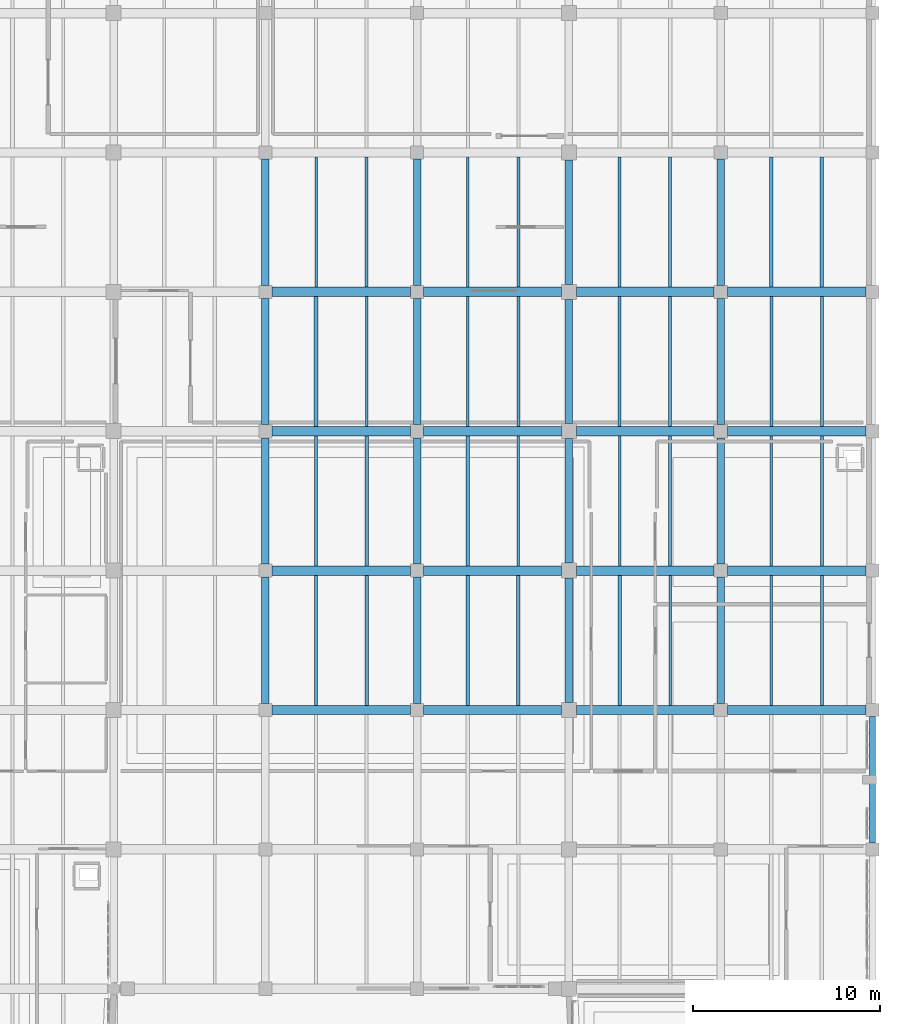
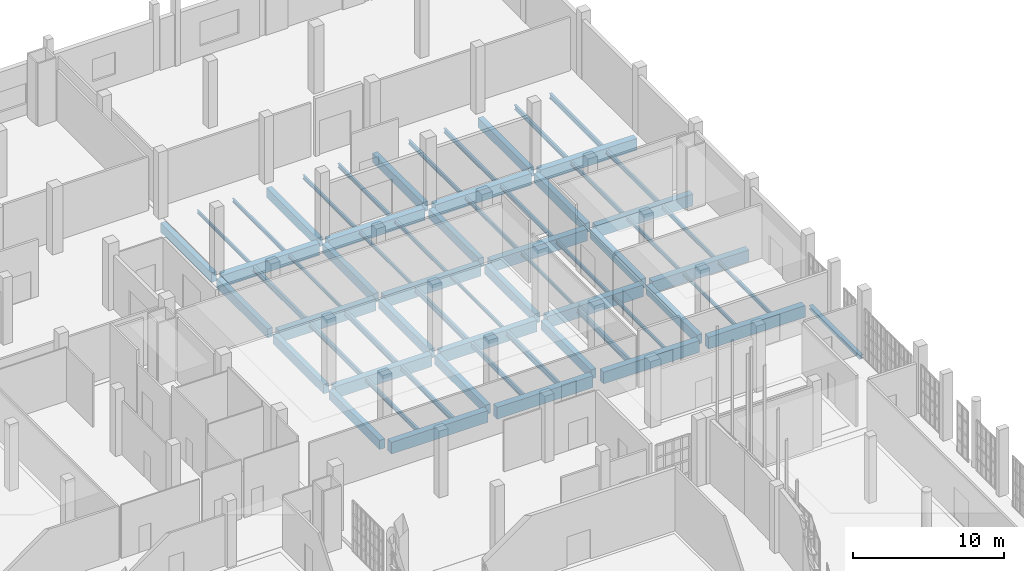
# One storey, part 289 of 372: 65 beams.
"""IFC4 building model written with IfcOpenShell, lengths in metres."""

from ifc_helpers import new_model, si_unit, direction, frame, origin, origin_2d, place, context, subcontext, project, spatial, rectangle, i_section, extrude, material, material_profile, profile_set, type_object, element, save


model = new_model("IFC4")

# Units and contexts
model_context = context("Model", 3, precision=1e-05, world=origin(), true_north=direction((0.0, 1.0)))
body_context = subcontext(model_context, "Body", "Model", "MODEL_VIEW")
ifc_project = project(units=[si_unit("LENGTHUNIT", "METRE"), si_unit("AREAUNIT", "SQUARE_METRE"), si_unit("VOLUMEUNIT", "CUBIC_METRE"), si_unit("PLANEANGLEUNIT", "RADIAN"), si_unit("MASSUNIT", "GRAM", prefix="KILO")], contexts=[model_context])

# Site, building, storey
site_placement = place(None, origin())
site = spatial("IfcSite", under=ifc_project, at=site_placement, CompositionType="ELEMENT")
building_placement = place(site_placement, origin())
building = spatial("IfcBuilding", under=site, at=building_placement, Name="Kaelora Sail Theatre", CompositionType="ELEMENT")
storey_placement = place(building_placement, origin())
storey = spatial("IfcBuildingStorey", under=building, at=storey_placement, Name="L00", CompositionType="ELEMENT", Elevation=0.0)

# Beams
ifc_material_1 = material(Name="Steel S355", Category="steel")
ifc_material_profile_1 = material_profile(ifc_material_1, i_section(OverallWidth=0.18994140625, OverallDepth=0.449951171875, WebThickness=0.009521484375, FlangeThickness=0.0146484375, FilletRadius=0.02099609375, at=origin_2d()), Name="IPE 450")
ifc_profile_set_1 = profile_set([ifc_material_profile_1], Name="Steel S355")
beam_type_1 = type_object("IfcBeamType", Name="STR-BM-BM-IPE450", PredefinedType="BEAM", material=ifc_profile_set_1)
beam_1_placement = place(storey_placement, frame((136.5, 76.14990234375, -0.544921875), z_axis=(0.0, 1.0, 0.0), x_axis=(-1.0, 0.0, 0.0)))
element("IfcBeam", 1, at=beam_1_placement, inside=storey, type_object=beam_type_1, Name="Secondary floor joist 17/K-2 (L00)", PredefinedType="BEAM", context=body_context, shape_type="SweptSolid", body=[
    extrude(i_section(OverallWidth=0.18994140625, OverallDepth=0.449951171875, WebThickness=0.009521484375, FlangeThickness=0.0146484375, FilletRadius=0.02099609375, at=origin_2d()), origin(), (0.0, 0.0, 1.0), 6.940185546875),
])
for number, where, z_axis, x_axis, name in (
    (2, (133.800048828125, 83.590087890625, -0.544921875), (0.0, 1.0, 0.0), (-1.0, 0.0, 0.0), "Secondary floor joist 17/L-1 (L00)"),
    (3, (144.60009765625, 68.7099609375, -0.544921875), (0.0, 1.0, 0.0), (-1.0, 0.0, 0.0), "Secondary floor joist 18/J-2 (L00)"),
):
    element("IfcBeam", number, at=place(storey_placement, frame(where, z_axis=z_axis, x_axis=x_axis)), inside=storey, type_object=beam_type_1, Name=name, PredefinedType="BEAM", context=body_context, shape_type="SweptSolid", body=[
        extrude(i_section(OverallWidth=0.18994140625, OverallDepth=0.449951171875, WebThickness=0.009521484375, FlangeThickness=0.0146484375, FilletRadius=0.02099609375, at=origin_2d()), origin(), (0.0, 0.0, 1.0), 6.93994140625),
    ])
beam_2_placement = place(storey_placement, frame((141.89990234375, 76.14990234375, -0.544921875), z_axis=(0.0, 1.0, 0.0), x_axis=(-1.0, 0.0, 0.0)))
element("IfcBeam", 4, at=beam_2_placement, inside=storey, type_object=beam_type_1, Name="Secondary floor joist 18/K-1 (L00)", PredefinedType="BEAM", context=body_context, shape_type="SweptSolid", body=[
    extrude(i_section(OverallWidth=0.18994140625, OverallDepth=0.449951171875, WebThickness=0.009521484375, FlangeThickness=0.0146484375, FilletRadius=0.02099609375, at=origin_2d()), origin(), (0.0, 0.0, 1.0), 6.940185546875),
])
beam_3_placement = place(storey_placement, frame((150.0, 68.7099609375, -0.544921875), z_axis=(0.0, 1.0, 0.0), x_axis=(-1.0, 0.0, 0.0)))
element("IfcBeam", 5, at=beam_3_placement, inside=storey, type_object=beam_type_1, Name="Secondary floor joist 19/J-1 (L00)", PredefinedType="BEAM", context=body_context, shape_type="SweptSolid", body=[
    extrude(i_section(OverallWidth=0.18994140625, OverallDepth=0.449951171875, WebThickness=0.009521484375, FlangeThickness=0.0146484375, FilletRadius=0.02099609375, at=origin_2d()), origin(), (0.0, 0.0, 1.0), 6.93994140625),
])
ifc_material_2 = material(Name="Concrete C40/50", Category="concrete")
ifc_material_profile_2 = material_profile(ifc_material_2, rectangle(XDim=0.39990234375, YDim=0.75, at=origin_2d()), Name="RC-BM 400x750")
ifc_profile_set_2 = profile_set([ifc_material_profile_2], Name="Concrete C40/50")
beam_type_2 = type_object("IfcBeamType", Name="STR-BM-BM-RC4075", PredefinedType="BEAM", material=ifc_profile_set_2)
for number, where, z_axis, x_axis, name in (
    (6, (131.10009765625, 68.81005859375, -0.695068359375), (0.0, 1.0, 0.0), (-1.0, 0.0, 0.0), "Primary beam 17 J-K (L00)"),
    (7, (131.10009765625, 76.25, -0.695068359375), (0.0, 1.0, 0.0), (-1.0, 0.0, 0.0), "Primary beam 17 K-L (L00)"),
    (8, (131.10009765625, 83.68994140625, -0.695068359375), (0.0, 1.0, 0.0), (-1.0, 0.0, 0.0), "Primary beam 17 L-M (L00)"),
):
    element("IfcBeam", number, at=place(storey_placement, frame(where, z_axis=z_axis, x_axis=x_axis)), inside=storey, type_object=beam_type_2, Name=name, PredefinedType="BEAM", context=body_context, shape_type="SweptSolid", body=[
        extrude(rectangle(XDim=0.39990234375, YDim=0.75, at=origin_2d()), origin(), (0.0, 0.0, 1.0), 6.739990234375),
    ])
beam_4_placement = place(storey_placement, frame((131.10009765625, 91.1298828125, -0.695068359375), z_axis=(0.0, 1.0, 0.0), x_axis=(-1.0, 0.0, 0.0)))
element("IfcBeam", 9, at=beam_4_placement, inside=storey, type_object=beam_type_2, Name="Primary beam 17 M-N (L00)", PredefinedType="BEAM", context=body_context, shape_type="SweptSolid", body=[
    extrude(rectangle(XDim=0.39990234375, YDim=0.75, at=origin_2d()), origin(), (0.0, 0.0, 1.0), 6.740234375),
])
for number, where, z_axis, x_axis, name in (
    (10, (139.199951171875, 68.81005859375, -0.695068359375), (0.0, 1.0, 0.0), (-1.0, 0.0, 0.0), "Primary beam 18 J-K (L00)"),
    (11, (139.199951171875, 76.25, -0.695068359375), (0.0, 1.0, 0.0), (-1.0, 0.0, 0.0), "Primary beam 18 K-L (L00)"),
    (12, (139.199951171875, 83.68994140625, -0.695068359375), (0.0, 1.0, 0.0), (-1.0, 0.0, 0.0), "Primary beam 18 L-M (L00)"),
):
    element("IfcBeam", number, at=place(storey_placement, frame(where, z_axis=z_axis, x_axis=x_axis)), inside=storey, type_object=beam_type_2, Name=name, PredefinedType="BEAM", context=body_context, shape_type="SweptSolid", body=[
        extrude(rectangle(XDim=0.39990234375, YDim=0.75, at=origin_2d()), origin(), (0.0, 0.0, 1.0), 6.739990234375),
    ])
beam_5_placement = place(storey_placement, frame((139.199951171875, 91.1298828125, -0.695068359375), z_axis=(0.0, 1.0, 0.0), x_axis=(-1.0, 0.0, 0.0)))
element("IfcBeam", 13, at=beam_5_placement, inside=storey, type_object=beam_type_2, Name="Primary beam 18 M-N (L00)", PredefinedType="BEAM", context=body_context, shape_type="SweptSolid", body=[
    extrude(rectangle(XDim=0.39990234375, YDim=0.75, at=origin_2d()), origin(), (0.0, 0.0, 1.0), 6.740234375),
])
for number, where, z_axis, x_axis, name in (
    (14, (147.300048828125, 68.860107421875, -0.695068359375), (0.0, 1.0, 0.0), (-1.0, 0.0, 0.0), "Primary beam 19 J-K (L00)"),
    (15, (147.300048828125, 76.300048828125, -0.695068359375), (0.0, 1.0, 0.0), (-1.0, 0.0, 0.0), "Primary beam 19 K-L (L00)"),
    (16, (147.300048828125, 83.739990234375, -0.695068359375), (0.0, 1.0, 0.0), (-1.0, 0.0, 0.0), "Primary beam 19 L-M (L00)"),
):
    element("IfcBeam", number, at=place(storey_placement, frame(where, z_axis=z_axis, x_axis=x_axis)), inside=storey, type_object=beam_type_2, Name=name, PredefinedType="BEAM", context=body_context, shape_type="SweptSolid", body=[
        extrude(rectangle(XDim=0.39990234375, YDim=0.75, at=origin_2d()), origin(), (0.0, 0.0, 1.0), 6.639892578125),
    ])
beam_6_placement = place(storey_placement, frame((147.300048828125, 91.179931640625, -0.695068359375), z_axis=(0.0, 1.0, 0.0), x_axis=(-1.0, 0.0, 0.0)))
element("IfcBeam", 17, at=beam_6_placement, inside=storey, type_object=beam_type_2, Name="Primary beam 19 M-N (L00)", PredefinedType="BEAM", context=body_context, shape_type="SweptSolid", body=[
    extrude(rectangle(XDim=0.39990234375, YDim=0.75, at=origin_2d()), origin(), (0.0, 0.0, 1.0), 6.64013671875),
])
for number, where, z_axis, x_axis, name in (
    (18, (155.39990234375, 68.81005859375, -0.695068359375), (0.0, 1.0, 0.0), (-1.0, 0.0, 0.0), "Primary beam 20 J-K (L00)"),
    (19, (155.39990234375, 76.25, -0.695068359375), (0.0, 1.0, 0.0), (-1.0, 0.0, 0.0), "Primary beam 20 K-L (L00)"),
    (20, (155.39990234375, 83.68994140625, -0.695068359375), (0.0, 1.0, 0.0), (-1.0, 0.0, 0.0), "Primary beam 20 L-M (L00)"),
):
    element("IfcBeam", number, at=place(storey_placement, frame(where, z_axis=z_axis, x_axis=x_axis)), inside=storey, type_object=beam_type_2, Name=name, PredefinedType="BEAM", context=body_context, shape_type="SweptSolid", body=[
        extrude(rectangle(XDim=0.39990234375, YDim=0.75, at=origin_2d()), origin(), (0.0, 0.0, 1.0), 6.739990234375),
    ])
beam_7_placement = place(storey_placement, frame((155.39990234375, 91.1298828125, -0.695068359375), z_axis=(0.0, 1.0, 0.0), x_axis=(-1.0, 0.0, 0.0)))
element("IfcBeam", 21, at=beam_7_placement, inside=storey, type_object=beam_type_2, Name="Primary beam 20 M-N (L00)", PredefinedType="BEAM", context=body_context, shape_type="SweptSolid", body=[
    extrude(rectangle(XDim=0.39990234375, YDim=0.75, at=origin_2d()), origin(), (0.0, 0.0, 1.0), 6.740234375),
])
ifc_material_3 = material(Name="Concrete C45/55", Category="concrete")
ifc_material_profile_3 = material_profile(ifc_material_3, rectangle(XDim=0.5, YDim=0.949951171875, at=origin_2d()), Name="RC-GRD 500x950")
ifc_profile_set_3 = profile_set([ifc_material_profile_3], Name="Concrete C45/55")
beam_type_3 = type_object("IfcBeamType", Name="STR-BM-GR-RC5095", PredefinedType="T_BEAM", material=ifc_profile_set_3)
for number, where, z_axis, x_axis, name in (
    (22, (131.449951171875, 68.4599609375, -0.794921875), (1.0, 0.0, 0.0), (0.0, 1.0, 0.0), "Primary beam J 17-18 (L00)"),
    (23, (131.449951171875, 75.89990234375, -0.794921875), (1.0, 0.0, 0.0), (0.0, 1.0, 0.0), "Primary beam K 17-18 (L00)"),
    (24, (131.449951171875, 83.340087890625, -0.794921875), (1.0, 0.0, 0.0), (0.0, 1.0, 0.0), "Primary beam L 17-18 (L00)"),
    (25, (131.449951171875, 90.780029296875, -0.794921875), (1.0, 0.0, 0.0), (0.0, 1.0, 0.0), "Primary beam M 17-18 (L00)"),
):
    element("IfcBeam", number, at=place(storey_placement, frame(where, z_axis=z_axis, x_axis=x_axis)), inside=storey, type_object=beam_type_3, Name=name, PredefinedType="T_BEAM", context=body_context, shape_type="SweptSolid", body=[
        extrude(rectangle(XDim=0.5, YDim=0.949951171875, at=origin_2d()), origin(), (0.0, 0.0, 1.0), 7.400146484375),
    ])
for number, where, z_axis, x_axis, name in (
    (26, (139.550048828125, 68.4599609375, -0.794921875), (1.0, 0.0, 0.0), (0.0, 1.0, 0.0), "Primary beam J 18-19 (L00)"),
    (27, (139.550048828125, 75.89990234375, -0.794921875), (1.0, 0.0, 0.0), (0.0, 1.0, 0.0), "Primary beam K 18-19 (L00)"),
    (28, (139.550048828125, 83.340087890625, -0.794921875), (1.0, 0.0, 0.0), (0.0, 1.0, 0.0), "Primary beam L 18-19 (L00)"),
    (29, (139.550048828125, 90.780029296875, -0.794921875), (1.0, 0.0, 0.0), (0.0, 1.0, 0.0), "Primary beam M 18-19 (L00)"),
):
    element("IfcBeam", number, at=place(storey_placement, frame(where, z_axis=z_axis, x_axis=x_axis)), inside=storey, type_object=beam_type_3, Name=name, PredefinedType="T_BEAM", context=body_context, shape_type="SweptSolid", body=[
        extrude(rectangle(XDim=0.5, YDim=0.949951171875, at=origin_2d()), origin(), (0.0, 0.0, 1.0), 7.349853515625),
    ])
for number, where, z_axis, x_axis, name in (
    (30, (147.699951171875, 68.4599609375, -0.794921875), (1.0, 0.0, 0.0), (0.0, 1.0, 0.0), "Primary beam J 19-20 (L00)"),
    (31, (147.699951171875, 75.89990234375, -0.794921875), (1.0, 0.0, 0.0), (0.0, 1.0, 0.0), "Primary beam K 19-20 (L00)"),
    (32, (147.699951171875, 83.340087890625, -0.794921875), (1.0, 0.0, 0.0), (0.0, 1.0, 0.0), "Primary beam L 19-20 (L00)"),
    (33, (147.699951171875, 90.780029296875, -0.794921875), (1.0, 0.0, 0.0), (0.0, 1.0, 0.0), "Primary beam M 19-20 (L00)"),
):
    element("IfcBeam", number, at=place(storey_placement, frame(where, z_axis=z_axis, x_axis=x_axis)), inside=storey, type_object=beam_type_3, Name=name, PredefinedType="T_BEAM", context=body_context, shape_type="SweptSolid", body=[
        extrude(rectangle(XDim=0.5, YDim=0.949951171875, at=origin_2d()), origin(), (0.0, 0.0, 1.0), 7.35009765625),
    ])
for number, where, z_axis, x_axis, name in (
    (34, (155.75, 68.4599609375, -0.794921875), (1.0, 0.0, 0.0), (0.0, 1.0, 0.0), "Primary beam J 20-21 (L00)"),
    (35, (155.75, 75.89990234375, -0.794921875), (1.0, 0.0, 0.0), (0.0, 1.0, 0.0), "Primary beam K 20-21 (L00)"),
    (36, (155.75, 83.340087890625, -0.794921875), (1.0, 0.0, 0.0), (0.0, 1.0, 0.0), "Primary beam L 20-21 (L00)"),
    (37, (155.75, 90.780029296875, -0.794921875), (1.0, 0.0, 0.0), (0.0, 1.0, 0.0), "Primary beam M 20-21 (L00)"),
):
    element("IfcBeam", number, at=place(storey_placement, frame(where, z_axis=z_axis, x_axis=x_axis)), inside=storey, type_object=beam_type_3, Name=name, PredefinedType="T_BEAM", context=body_context, shape_type="SweptSolid", body=[
        extrude(rectangle(XDim=0.5, YDim=0.949951171875, at=origin_2d()), origin(), (0.0, 0.0, 1.0), 7.39990234375),
    ])
ifc_material_4 = material(Name="Steel S355", Category="steel")
ifc_material_profile_4 = material_profile(ifc_material_4, i_section(OverallWidth=0.135009765625, OverallDepth=0.27001953125, WebThickness=0.006591796875, FlangeThickness=0.01025390625, FilletRadius=0.014892578125, at=origin_2d()), Name="IPE 270")
ifc_profile_set_4 = profile_set([ifc_material_profile_4], Name="Steel S355")
beam_type_4 = type_object("IfcBeamType", Name="STR-BM-JS-IPE270", PredefinedType="JOIST", material=ifc_profile_set_4)
for number, where, z_axis, x_axis, name in (
    (38, (136.5, 83.590087890625, -0.455078125), (0.0, 1.0, 0.0), (-1.0, 0.0, 0.0), "Secondary floor joist 17/L-2 (L00)"),
    (39, (133.800048828125, 91.030029296875, -0.455078125), (0.0, 1.0, 0.0), (-1.0, 0.0, 0.0), "Secondary floor joist 17/M-1 (L00)"),
):
    element("IfcBeam", number, at=place(storey_placement, frame(where, z_axis=z_axis, x_axis=x_axis)), inside=storey, type_object=beam_type_4, Name=name, PredefinedType="JOIST", context=body_context, shape_type="SweptSolid", body=[
        extrude(i_section(OverallWidth=0.135009765625, OverallDepth=0.27001953125, WebThickness=0.006591796875, FlangeThickness=0.01025390625, FilletRadius=0.014892578125, at=origin_2d()), origin(), (0.0, 0.0, 1.0), 6.93994140625),
    ])
beam_8_placement = place(storey_placement, frame((144.60009765625, 76.14990234375, -0.455078125), z_axis=(0.0, 1.0, 0.0), x_axis=(-1.0, 0.0, 0.0)))
element("IfcBeam", 40, at=beam_8_placement, inside=storey, type_object=beam_type_4, Name="Secondary floor joist 18/K-2 (L00)", PredefinedType="JOIST", context=body_context, shape_type="SweptSolid", body=[
    extrude(i_section(OverallWidth=0.135009765625, OverallDepth=0.27001953125, WebThickness=0.006591796875, FlangeThickness=0.01025390625, FilletRadius=0.014892578125, at=origin_2d()), origin(), (0.0, 0.0, 1.0), 6.940185546875),
])
for number, where, z_axis, x_axis, name in (
    (41, (141.89990234375, 83.590087890625, -0.455078125), (0.0, 1.0, 0.0), (-1.0, 0.0, 0.0), "Secondary floor joist 18/L-1 (L00)"),
    (42, (152.699951171875, 68.7099609375, -0.455078125), (0.0, 1.0, 0.0), (-1.0, 0.0, 0.0), "Secondary floor joist 19/J-2 (L00)"),
):
    element("IfcBeam", number, at=place(storey_placement, frame(where, z_axis=z_axis, x_axis=x_axis)), inside=storey, type_object=beam_type_4, Name=name, PredefinedType="JOIST", context=body_context, shape_type="SweptSolid", body=[
        extrude(i_section(OverallWidth=0.135009765625, OverallDepth=0.27001953125, WebThickness=0.006591796875, FlangeThickness=0.01025390625, FilletRadius=0.014892578125, at=origin_2d()), origin(), (0.0, 0.0, 1.0), 6.93994140625),
    ])
beam_9_placement = place(storey_placement, frame((150.0, 76.14990234375, -0.455078125), z_axis=(0.0, 1.0, 0.0), x_axis=(-1.0, 0.0, 0.0)))
element("IfcBeam", 43, at=beam_9_placement, inside=storey, type_object=beam_type_4, Name="Secondary floor joist 19/K-1 (L00)", PredefinedType="JOIST", context=body_context, shape_type="SweptSolid", body=[
    extrude(i_section(OverallWidth=0.135009765625, OverallDepth=0.27001953125, WebThickness=0.006591796875, FlangeThickness=0.01025390625, FilletRadius=0.014892578125, at=origin_2d()), origin(), (0.0, 0.0, 1.0), 6.940185546875),
])
beam_10_placement = place(storey_placement, frame((158.10009765625, 68.7099609375, -0.455078125), z_axis=(0.0, 1.0, 0.0), x_axis=(-1.0, 0.0, 0.0)))
element("IfcBeam", 44, at=beam_10_placement, inside=storey, type_object=beam_type_4, Name="Secondary floor joist 20/J-1 (L00)", PredefinedType="JOIST", context=body_context, shape_type="SweptSolid", body=[
    extrude(i_section(OverallWidth=0.135009765625, OverallDepth=0.27001953125, WebThickness=0.006591796875, FlangeThickness=0.01025390625, FilletRadius=0.014892578125, at=origin_2d()), origin(), (0.0, 0.0, 1.0), 6.93994140625),
])
ifc_material_5 = material(Name="Steel S355", Category="steel")
ifc_material_profile_5 = material_profile(ifc_material_5, i_section(OverallWidth=0.14990234375, OverallDepth=0.300048828125, WebThickness=0.007080078125, FlangeThickness=0.0107421875, FilletRadius=0.014892578125, at=origin_2d()), Name="IPE 300")
ifc_profile_set_5 = profile_set([ifc_material_profile_5], Name="Steel S355")
beam_type_5 = type_object("IfcBeamType", Name="STR-BM-JS-IPE300", PredefinedType="JOIST", material=ifc_profile_set_5)
for number, where, z_axis, x_axis, name in (
    (45, (136.5, 91.030029296875, -0.469970703125), (0.0, 1.0, 0.0), (-1.0, 0.0, 0.0), "Secondary floor joist 17/M-2 (L00)"),
    (46, (144.60009765625, 83.590087890625, -0.469970703125), (0.0, 1.0, 0.0), (-1.0, 0.0, 0.0), "Secondary floor joist 18/L-2 (L00)"),
    (47, (141.89990234375, 91.030029296875, -0.469970703125), (0.0, 1.0, 0.0), (-1.0, 0.0, 0.0), "Secondary floor joist 18/M-1 (L00)"),
):
    element("IfcBeam", number, at=place(storey_placement, frame(where, z_axis=z_axis, x_axis=x_axis)), inside=storey, type_object=beam_type_5, Name=name, PredefinedType="JOIST", context=body_context, shape_type="SweptSolid", body=[
        extrude(i_section(OverallWidth=0.14990234375, OverallDepth=0.300048828125, WebThickness=0.007080078125, FlangeThickness=0.0107421875, FilletRadius=0.014892578125, at=origin_2d()), origin(), (0.0, 0.0, 1.0), 6.93994140625),
    ])
beam_11_placement = place(storey_placement, frame((152.699951171875, 76.14990234375, -0.469970703125), z_axis=(0.0, 1.0, 0.0), x_axis=(-1.0, 0.0, 0.0)))
element("IfcBeam", 48, at=beam_11_placement, inside=storey, type_object=beam_type_5, Name="Secondary floor joist 19/K-2 (L00)", PredefinedType="JOIST", context=body_context, shape_type="SweptSolid", body=[
    extrude(i_section(OverallWidth=0.14990234375, OverallDepth=0.300048828125, WebThickness=0.007080078125, FlangeThickness=0.0107421875, FilletRadius=0.014892578125, at=origin_2d()), origin(), (0.0, 0.0, 1.0), 6.940185546875),
])
for number, where, z_axis, x_axis, name in (
    (49, (150.0, 83.590087890625, -0.469970703125), (0.0, 1.0, 0.0), (-1.0, 0.0, 0.0), "Secondary floor joist 19/L-1 (L00)"),
    (50, (160.800048828125, 68.7099609375, -0.469970703125), (0.0, 1.0, 0.0), (-1.0, 0.0, 0.0), "Secondary floor joist 20/J-2 (L00)"),
):
    element("IfcBeam", number, at=place(storey_placement, frame(where, z_axis=z_axis, x_axis=x_axis)), inside=storey, type_object=beam_type_5, Name=name, PredefinedType="JOIST", context=body_context, shape_type="SweptSolid", body=[
        extrude(i_section(OverallWidth=0.14990234375, OverallDepth=0.300048828125, WebThickness=0.007080078125, FlangeThickness=0.0107421875, FilletRadius=0.014892578125, at=origin_2d()), origin(), (0.0, 0.0, 1.0), 6.93994140625),
    ])
beam_12_placement = place(storey_placement, frame((158.10009765625, 76.14990234375, -0.469970703125), z_axis=(0.0, 1.0, 0.0), x_axis=(-1.0, 0.0, 0.0)))
element("IfcBeam", 51, at=beam_12_placement, inside=storey, type_object=beam_type_5, Name="Secondary floor joist 20/K-1 (L00)", PredefinedType="JOIST", context=body_context, shape_type="SweptSolid", body=[
    extrude(i_section(OverallWidth=0.14990234375, OverallDepth=0.300048828125, WebThickness=0.007080078125, FlangeThickness=0.0107421875, FilletRadius=0.014892578125, at=origin_2d()), origin(), (0.0, 0.0, 1.0), 6.940185546875),
])
ifc_material_6 = material(Name="Steel S355", Category="steel")
ifc_material_profile_6 = material_profile(ifc_material_6, i_section(OverallWidth=0.159912109375, OverallDepth=0.330078125, WebThickness=0.007568359375, FlangeThickness=0.011474609375, FilletRadius=0.01806640625, at=origin_2d()), Name="IPE 330")
ifc_profile_set_6 = profile_set([ifc_material_profile_6], Name="Steel S355")
beam_type_6 = type_object("IfcBeamType", Name="STR-BM-JS-IPE330", PredefinedType="JOIST", material=ifc_profile_set_6)
for number, where, z_axis, x_axis, name in (
    (52, (144.60009765625, 91.030029296875, -0.485107421875), (0.0, 1.0, 0.0), (-1.0, 0.0, 0.0), "Secondary floor joist 18/M-2 (L00)"),
    (53, (152.699951171875, 83.590087890625, -0.485107421875), (0.0, 1.0, 0.0), (-1.0, 0.0, 0.0), "Secondary floor joist 19/L-2 (L00)"),
    (54, (150.0, 91.030029296875, -0.485107421875), (0.0, 1.0, 0.0), (-1.0, 0.0, 0.0), "Secondary floor joist 19/M-1 (L00)"),
):
    element("IfcBeam", number, at=place(storey_placement, frame(where, z_axis=z_axis, x_axis=x_axis)), inside=storey, type_object=beam_type_6, Name=name, PredefinedType="JOIST", context=body_context, shape_type="SweptSolid", body=[
        extrude(i_section(OverallWidth=0.159912109375, OverallDepth=0.330078125, WebThickness=0.007568359375, FlangeThickness=0.011474609375, FilletRadius=0.01806640625, at=origin_2d()), origin(), (0.0, 0.0, 1.0), 6.93994140625),
    ])
beam_13_placement = place(storey_placement, frame((160.800048828125, 76.14990234375, -0.485107421875), z_axis=(0.0, 1.0, 0.0), x_axis=(-1.0, 0.0, 0.0)))
element("IfcBeam", 55, at=beam_13_placement, inside=storey, type_object=beam_type_6, Name="Secondary floor joist 20/K-2 (L00)", PredefinedType="JOIST", context=body_context, shape_type="SweptSolid", body=[
    extrude(i_section(OverallWidth=0.159912109375, OverallDepth=0.330078125, WebThickness=0.007568359375, FlangeThickness=0.011474609375, FilletRadius=0.01806640625, at=origin_2d()), origin(), (0.0, 0.0, 1.0), 6.940185546875),
])
beam_14_placement = place(storey_placement, frame((158.10009765625, 83.590087890625, -0.485107421875), z_axis=(0.0, 1.0, 0.0), x_axis=(-1.0, 0.0, 0.0)))
element("IfcBeam", 56, at=beam_14_placement, inside=storey, type_object=beam_type_6, Name="Secondary floor joist 20/L-1 (L00)", PredefinedType="JOIST", context=body_context, shape_type="SweptSolid", body=[
    extrude(i_section(OverallWidth=0.159912109375, OverallDepth=0.330078125, WebThickness=0.007568359375, FlangeThickness=0.011474609375, FilletRadius=0.01806640625, at=origin_2d()), origin(), (0.0, 0.0, 1.0), 6.93994140625),
])
ifc_material_7 = material(Name="Steel S355", Category="steel")
ifc_material_profile_7 = material_profile(ifc_material_7, i_section(OverallWidth=0.169921875, OverallDepth=0.360107421875, WebThickness=0.008056640625, FlangeThickness=0.0126953125, FilletRadius=0.01806640625, at=origin_2d()), Name="IPE 360")
ifc_profile_set_7 = profile_set([ifc_material_profile_7], Name="Steel S355")
beam_type_7 = type_object("IfcBeamType", Name="STR-BM-JS-IPE360", PredefinedType="JOIST", material=ifc_profile_set_7)
for number, where, z_axis, x_axis, name in (
    (57, (133.800048828125, 68.7099609375, -0.5), (0.0, 1.0, 0.0), (-1.0, 0.0, 0.0), "Secondary floor joist 17/J-1 (L00)"),
    (58, (152.699951171875, 91.030029296875, -0.5), (0.0, 1.0, 0.0), (-1.0, 0.0, 0.0), "Secondary floor joist 19/M-2 (L00)"),
    (59, (160.800048828125, 83.590087890625, -0.5), (0.0, 1.0, 0.0), (-1.0, 0.0, 0.0), "Secondary floor joist 20/L-2 (L00)"),
    (60, (158.10009765625, 91.030029296875, -0.5), (0.0, 1.0, 0.0), (-1.0, 0.0, 0.0), "Secondary floor joist 20/M-1 (L00)"),
):
    element("IfcBeam", number, at=place(storey_placement, frame(where, z_axis=z_axis, x_axis=x_axis)), inside=storey, type_object=beam_type_7, Name=name, PredefinedType="JOIST", context=body_context, shape_type="SweptSolid", body=[
        extrude(i_section(OverallWidth=0.169921875, OverallDepth=0.360107421875, WebThickness=0.008056640625, FlangeThickness=0.0126953125, FilletRadius=0.01806640625, at=origin_2d()), origin(), (0.0, 0.0, 1.0), 6.93994140625),
    ])
ifc_material_8 = material(Name="Steel S355", Category="steel")
ifc_material_profile_8 = material_profile(ifc_material_8, i_section(OverallWidth=0.179931640625, OverallDepth=0.39990234375, WebThickness=0.008544921875, FlangeThickness=0.013427734375, FilletRadius=0.02099609375, at=origin_2d()), Name="IPE 400")
ifc_profile_set_8 = profile_set([ifc_material_profile_8], Name="Steel S355")
beam_type_8 = type_object("IfcBeamType", Name="STR-BM-JS-IPE400", PredefinedType="JOIST", material=ifc_profile_set_8)
beam_15_placement = place(storey_placement, frame((136.5, 68.7099609375, -0.52001953125), z_axis=(0.0, 1.0, 0.0), x_axis=(-1.0, 0.0, 0.0)))
element("IfcBeam", 61, at=beam_15_placement, inside=storey, type_object=beam_type_8, Name="Secondary floor joist 17/J-2 (L00)", PredefinedType="JOIST", context=body_context, shape_type="SweptSolid", body=[
    extrude(i_section(OverallWidth=0.179931640625, OverallDepth=0.39990234375, WebThickness=0.008544921875, FlangeThickness=0.013427734375, FilletRadius=0.02099609375, at=origin_2d()), origin(), (0.0, 0.0, 1.0), 6.93994140625),
])
beam_16_placement = place(storey_placement, frame((133.800048828125, 76.14990234375, -0.52001953125), z_axis=(0.0, 1.0, 0.0), x_axis=(-1.0, 0.0, 0.0)))
element("IfcBeam", 62, at=beam_16_placement, inside=storey, type_object=beam_type_8, Name="Secondary floor joist 17/K-1 (L00)", PredefinedType="JOIST", context=body_context, shape_type="SweptSolid", body=[
    extrude(i_section(OverallWidth=0.179931640625, OverallDepth=0.39990234375, WebThickness=0.008544921875, FlangeThickness=0.013427734375, FilletRadius=0.02099609375, at=origin_2d()), origin(), (0.0, 0.0, 1.0), 6.940185546875),
])
for number, where, z_axis, x_axis, name in (
    (63, (141.89990234375, 68.7099609375, -0.52001953125), (0.0, 1.0, 0.0), (-1.0, 0.0, 0.0), "Secondary floor joist 18/J-1 (L00)"),
    (64, (160.800048828125, 91.030029296875, -0.52001953125), (0.0, 1.0, 0.0), (-1.0, 0.0, 0.0), "Secondary floor joist 20/M-2 (L00)"),
):
    element("IfcBeam", number, at=place(storey_placement, frame(where, z_axis=z_axis, x_axis=x_axis)), inside=storey, type_object=beam_type_8, Name=name, PredefinedType="JOIST", context=body_context, shape_type="SweptSolid", body=[
        extrude(i_section(OverallWidth=0.179931640625, OverallDepth=0.39990234375, WebThickness=0.008544921875, FlangeThickness=0.013427734375, FilletRadius=0.02099609375, at=origin_2d()), origin(), (0.0, 0.0, 1.0), 6.93994140625),
    ])
ifc_material_9 = material(Name="Steel S355", Category="steel")
ifc_material_profile_9 = material_profile(ifc_material_9, i_section(OverallWidth=0.300048828125, OverallDepth=0.300048828125, WebThickness=0.010986328125, FlangeThickness=0.01904296875, FilletRadius=0.027099609375, at=origin_2d()), Name="HEB 300")
ifc_profile_set_9 = profile_set([ifc_material_profile_9], Name="Steel S355")
beam_type_9 = type_object("IfcBeamType", Name="STR-BM-SP-HEB300", PredefinedType="SPANDREL", material=ifc_profile_set_9)
beam_17_placement = place(storey_placement, frame((163.5, 61.3701171875, -0.469970703125), z_axis=(0.0, 1.0, 0.0), x_axis=(-1.0, 0.0, 0.0)))
element("IfcBeam", 65, at=beam_17_placement, inside=storey, type_object=beam_type_9, Name="Primary beam 21 I-J (L00)", PredefinedType="SPANDREL", context=body_context, shape_type="SweptSolid", body=[
    extrude(i_section(OverallWidth=0.300048828125, OverallDepth=0.300048828125, WebThickness=0.010986328125, FlangeThickness=0.01904296875, FilletRadius=0.027099609375, at=origin_2d()), origin(), (0.0, 0.0, 1.0), 6.739990234375),
])

save(model, "model.ifc")
